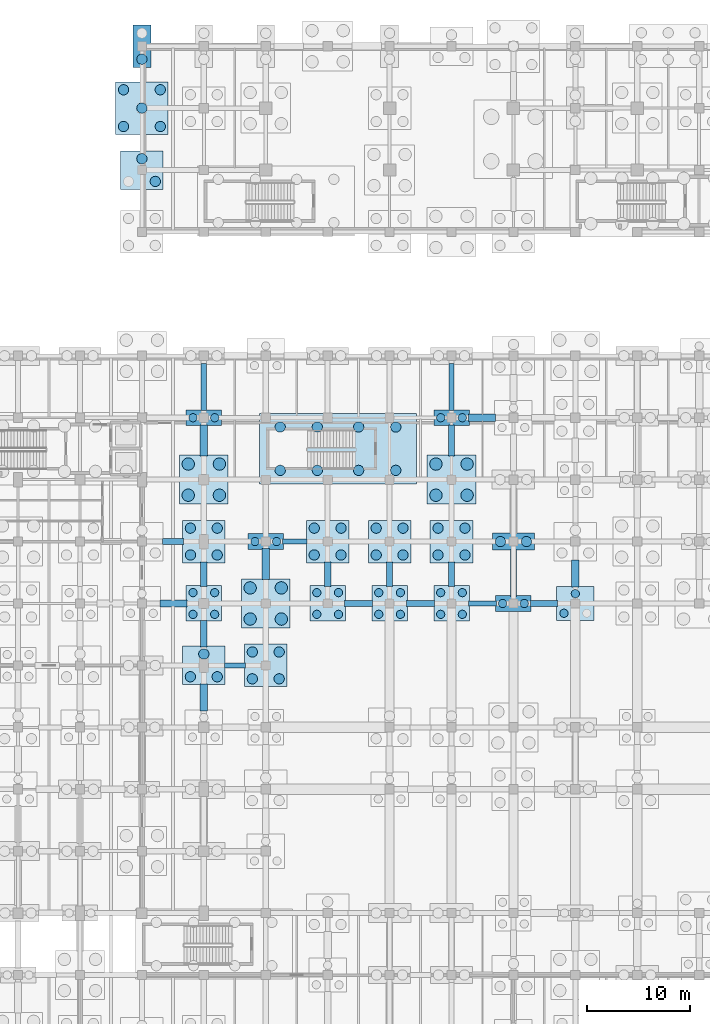
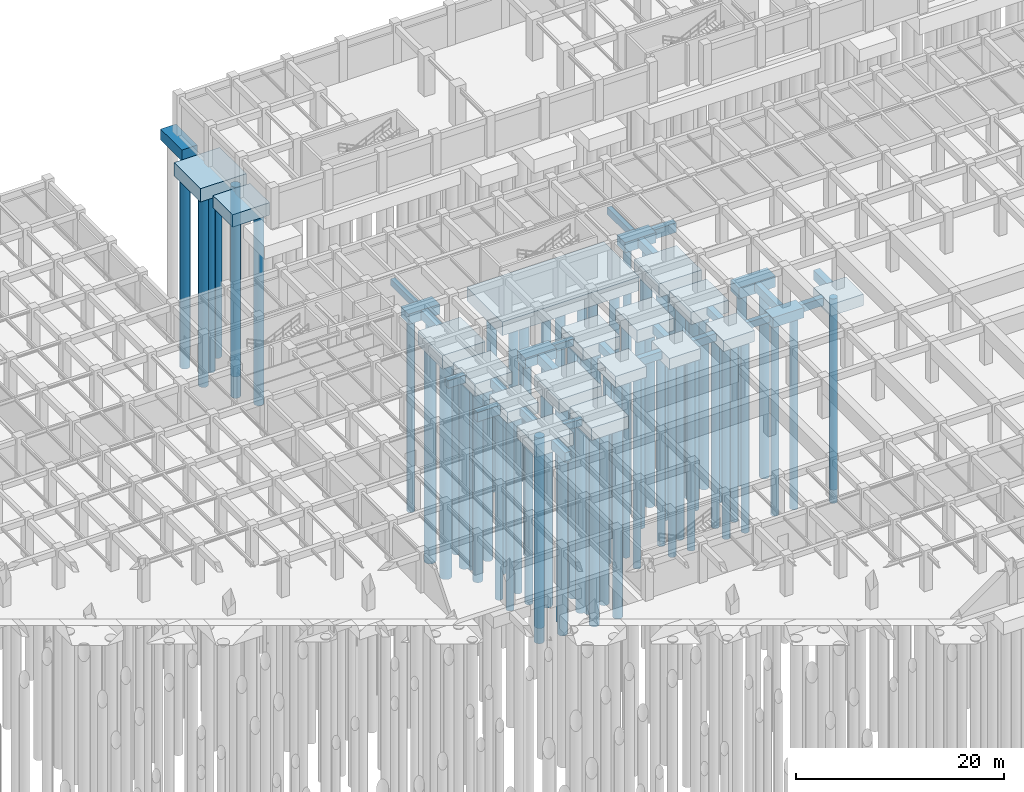
# One storey, part 13 of 54: 79 piles, 45 footings.
"""IFC4 building model written with IfcOpenShell, lengths in metres."""

from ifc_helpers import new_model, si_unit, direction, frame, origin, origin_2d, place, context, subcontext, project, spatial, rectangle, circle, extrude, material, material_profile, profile_set, type_object, element, save


model = new_model("IFC4")

# Units and contexts
model_context = context("Model", 3, precision=1e-05, world=origin(), true_north=direction((0.0, 1.0)))
body_context = subcontext(model_context, "Body", "Model", "MODEL_VIEW")
ifc_project = project(units=[si_unit("LENGTHUNIT", "METRE"), si_unit("AREAUNIT", "SQUARE_METRE"), si_unit("VOLUMEUNIT", "CUBIC_METRE"), si_unit("PLANEANGLEUNIT", "RADIAN"), si_unit("MASSUNIT", "GRAM", prefix="KILO"), si_unit("THERMODYNAMICTEMPERATUREUNIT", "KELVIN"), si_unit("POWERUNIT", "WATT")], contexts=[model_context])

# Site, building, storey
site_placement = place(None, origin())
site = spatial("IfcSite", under=ifc_project, at=site_placement, CompositionType="ELEMENT")
building_placement = place(site_placement, origin())
building = spatial("IfcBuilding", under=site, at=building_placement, Name="Phaisarnlok Congress Hotel", CompositionType="ELEMENT")
storey_placement = place(building_placement, frame((0.0, 0.0, -4.800048828125)))
storey = spatial("IfcBuildingStorey", under=building, at=storey_placement, Name="B01", CompositionType="ELEMENT", Elevation=-4.800048828125)

# Footings
ifc_material_1 = material(Name="Concrete C40/50", Category="concrete")
footing_type_1 = type_object("IfcFootingType", Name="CAP-2P-A", PredefinedType="PILE_CAP", material=ifc_material_1)
for number, where, z_axis, x_axis, name in (
    (1, (66.0, 90.0, -1.69970703125), (0.0, 0.0, 1.0), (1.0, 0.0, 0.0), "Pile cap PC-01 at (66,90)"),
    (2, (72.0, 78.0, -1.69970703125), (0.0, 0.0, 1.0), (1.0, 0.0, 0.0), "Pile cap PC-01 at (72,78)"),
    (3, (90.0, 90.0, -1.69970703125), (0.0, 0.0, 1.0), (1.0, 0.0, 0.0), "Pile cap PC-01 at (90,90)"),
    (4, (96.0, 72.0, -1.69970703125), (0.0, 0.0, 1.0), (1.0, 0.0, 0.0), "Pile cap PC-01 at (96,72)"),
):
    element("IfcFooting", number, at=place(storey_placement, frame(where, z_axis=z_axis, x_axis=x_axis)), inside=storey, type_object=footing_type_1, Name=name, PredefinedType="PILE_CAP", context=body_context, shape_type="SweptSolid", body=[
        extrude(rectangle(XDim=3.43994140625, YDim=1.5400390625, at=origin_2d()), origin(), (0.0, 0.0, 1.0), 1.199951171875),
    ])
footing_type_2 = type_object("IfcFootingType", Name="CAP-2P-B", PredefinedType="PILE_CAP", material=ifc_material_1)
footing_1_placement = place(storey_placement, frame((96.0, 78.0, -1.7998046875), z_axis=(0.0, 0.0, 1.0), x_axis=(1.0, 0.0, 0.0)))
element("IfcFooting", 5, at=footing_1_placement, inside=storey, type_object=footing_type_2, Name="Pile cap PC-02 at (96,78)", PredefinedType="PILE_CAP", context=body_context, shape_type="SweptSolid", body=[
    extrude(rectangle(XDim=4.080078125, YDim=1.639892578125, at=origin_2d()), origin(), (0.0, 0.0, 1.0), 1.300048828125),
])
footing_type_3 = type_object("IfcFootingType", Name="CAP-2P-D", PredefinedType="PILE_CAP", material=ifc_material_1)
footing_2_placement = place(storey_placement, frame((60.0, 126.0, -1.75), z_axis=(0.0, 0.0, 1.0), x_axis=(1.0, 0.0, 0.0)))
element("IfcFooting", 6, at=footing_2_placement, inside=storey, type_object=footing_type_3, Name="Pile cap PC-14 at (60,126)", PredefinedType="PILE_CAP", context=body_context, shape_type="SweptSolid", body=[
    extrude(rectangle(XDim=1.719970703125, YDim=4.080078125, at=origin_2d()), origin(), (0.0, 0.0, 1.0), 1.25),
])
footing_type_4 = type_object("IfcFootingType", Name="CAP-3P-A", PredefinedType="PILE_CAP", material=ifc_material_1)
footing_3_placement = place(storey_placement, frame((102.0, 72.0, -1.85009765625), z_axis=(0.0, 0.0, 1.0), x_axis=(1.0, 0.0, 0.0)))
element("IfcFooting", 7, at=footing_3_placement, inside=storey, type_object=footing_type_4, Name="Pile cap PC-04 at (102,72)", PredefinedType="PILE_CAP", context=body_context, shape_type="SweptSolid", body=[
    extrude(rectangle(XDim=3.639892578125, YDim=3.340087890625, at=origin_2d()), origin(), (0.0, 0.0, 1.0), 1.35009765625),
])
footing_type_5 = type_object("IfcFootingType", Name="CAP-3P-B", PredefinedType="PILE_CAP", material=ifc_material_1)
for number, where, z_axis, x_axis, name in (
    (8, (60.0, 114.0, -1.94970703125), (0.0, 0.0, 1.0), (1.0, 0.0, 0.0), "Pile cap PC-05 at (60,114)"),
    (9, (66.0, 66.0, -1.94970703125), (0.0, 0.0, 1.0), (1.0, 0.0, 0.0), "Pile cap PC-05 at (66,66)"),
):
    element("IfcFooting", number, at=place(storey_placement, frame(where, z_axis=z_axis, x_axis=x_axis)), inside=storey, type_object=footing_type_5, Name=name, PredefinedType="PILE_CAP", context=body_context, shape_type="SweptSolid", body=[
        extrude(rectangle(XDim=4.1201171875, YDim=3.739990234375, at=origin_2d()), origin(), (0.0, 0.0, 1.0), 1.449951171875),
    ])
footing_type_6 = type_object("IfcFootingType", Name="CAP-4P-A", PredefinedType="PILE_CAP", material=ifc_material_1)
for number, where, z_axis, x_axis, name in (
    (10, (66.0, 72.0, -1.7998046875), (0.0, 0.0, 1.0), (1.0, 0.0, 0.0), "Pile cap PC-06 at (66,72)"),
    (11, (78.0, 72.0, -1.7998046875), (0.0, 0.0, 1.0), (1.0, 0.0, 0.0), "Pile cap PC-06 at (78,72)"),
    (12, (84.0, 72.0, -1.7998046875), (0.0, 0.0, 1.0), (1.0, 0.0, 0.0), "Pile cap PC-06 at (84,72)"),
    (13, (90.0, 72.0, -1.7998046875), (0.0, 0.0, 1.0), (1.0, 0.0, 0.0), "Pile cap PC-06 at (90,72)"),
):
    element("IfcFooting", number, at=place(storey_placement, frame(where, z_axis=z_axis, x_axis=x_axis)), inside=storey, type_object=footing_type_6, Name=name, PredefinedType="PILE_CAP", context=body_context, shape_type="SweptSolid", body=[
        extrude(rectangle(XDim=3.43994140625, YDim=3.43994140625, at=origin_2d()), origin(), (0.0, 0.0, 1.0), 1.300048828125),
    ])
footing_type_7 = type_object("IfcFootingType", Name="CAP-4P-B", PredefinedType="PILE_CAP", material=ifc_material_1)
for number, where, z_axis, x_axis, name in (
    (14, (66.0, 78.0, -1.94970703125), (0.0, 0.0, 1.0), (1.0, 0.0, 0.0), "Pile cap PC-07 at (66,78)"),
    (15, (72.0, 66.0, -1.94970703125), (0.0, 0.0, 1.0), (1.0, 0.0, 0.0), "Pile cap PC-07 at (72,66)"),
    (16, (78.0, 78.0, -1.94970703125), (0.0, 0.0, 1.0), (1.0, 0.0, 0.0), "Pile cap PC-07 at (78,78)"),
    (17, (84.0, 78.0, -1.94970703125), (0.0, 0.0, 1.0), (1.0, 0.0, 0.0), "Pile cap PC-07 at (84,78)"),
    (18, (90.0, 78.0, -1.94970703125), (0.0, 0.0, 1.0), (1.0, 0.0, 0.0), "Pile cap PC-07 at (90,78)"),
):
    element("IfcFooting", number, at=place(storey_placement, frame(where, z_axis=z_axis, x_axis=x_axis)), inside=storey, type_object=footing_type_7, Name=name, PredefinedType="PILE_CAP", context=body_context, shape_type="SweptSolid", body=[
        extrude(rectangle(XDim=4.1201171875, YDim=4.1201171875, at=origin_2d()), origin(), (0.0, 0.0, 1.0), 1.449951171875),
    ])
footing_type_8 = type_object("IfcFootingType", Name="CAP-4P-C", PredefinedType="PILE_CAP", material=ifc_material_1)
for number, where, z_axis, x_axis, name in (
    (19, (66.0, 84.0, -2.10009765625), (0.0, 0.0, 1.0), (1.0, 0.0, 0.0), "Pile cap PC-08 at (66,84)"),
    (20, (72.0, 72.0, -2.10009765625), (0.0, 0.0, 1.0), (1.0, 0.0, 0.0), "Pile cap PC-08 at (72,72)"),
    (21, (90.0, 84.0, -2.10009765625), (0.0, 0.0, 1.0), (1.0, 0.0, 0.0), "Pile cap PC-08 at (90,84)"),
):
    element("IfcFooting", number, at=place(storey_placement, frame(where, z_axis=z_axis, x_axis=x_axis)), inside=storey, type_object=footing_type_8, Name=name, PredefinedType="PILE_CAP", context=body_context, shape_type="SweptSolid", body=[
        extrude(rectangle(XDim=4.719970703125, YDim=4.760009765625, at=origin_2d()), origin(), (0.0, 0.0, 1.0), 1.60009765625),
    ])
footing_type_9 = type_object("IfcFootingType", Name="CAP-5P-A", PredefinedType="PILE_CAP", material=ifc_material_1)
footing_4_placement = place(storey_placement, frame((60.0, 120.0, -2.0498046875), z_axis=(0.0, 0.0, 1.0), x_axis=(1.0, 0.0, 0.0)))
element("IfcFooting", 22, at=footing_4_placement, inside=storey, type_object=footing_type_9, Name="Pile cap PC-13 at (60,120)", PredefinedType="PILE_CAP", context=body_context, shape_type="SweptSolid", body=[
    extrude(rectangle(XDim=5.080078125, YDim=5.080078125, at=origin_2d()), origin(), (0.0, 0.0, 1.0), 1.550048828125),
])
footing_type_10 = type_object("IfcFootingType", Name="CAP-STAIR-H", PredefinedType="PILE_CAP", material=ifc_material_1)
footing_5_placement = place(storey_placement, frame((79.0, 87.0, -2.10009765625), z_axis=(0.0, 0.0, 1.0), x_axis=(1.0, 0.0, 0.0)))
element("IfcFooting", 23, at=footing_5_placement, inside=storey, type_object=footing_type_10, Name="Stair core pile cap PC-17 (STAIR-POD-C)", PredefinedType="PILE_CAP", context=body_context, shape_type="SweptSolid", body=[
    extrude(rectangle(XDim=15.199951171875, YDim=6.800048828125, at=origin_2d()), origin(), (0.0, 0.0, 1.0), 1.60009765625),
])
ifc_material_profile_1 = material_profile(ifc_material_1, rectangle(XDim=0.5, YDim=0.800048828125, at=origin_2d()), Name="FB-500x800")
ifc_profile_set_1 = profile_set([ifc_material_profile_1], Name="Concrete C40/50")
footing_type_11 = type_object("IfcFootingType", Name="FB-500x800", PredefinedType="FOOTING_BEAM", material=ifc_profile_set_1)
footing_6_placement = place(storey_placement, frame((67.985107421875, 66.0, -0.89990234375), z_axis=(1.0, 0.0, 0.0), x_axis=(0.0, 1.0, 0.0)))
element("IfcFooting", 24, at=footing_6_placement, inside=storey, type_object=footing_type_11, Name="Ground tie beam FB-01", PredefinedType="FOOTING_BEAM", context=body_context, shape_type="SweptSolid", body=[
    extrude(rectangle(XDim=0.5, YDim=0.800048828125, at=origin_2d()), origin(), (0.0, 0.0, 1.0), 2.02978515625),
])
footing_7_placement = place(storey_placement, frame((66.0, 90.695068359375, -0.89990234375), z_axis=(0.0, 1.0, 0.0), x_axis=(-1.0, 0.0, 0.0)))
element("IfcFooting", 25, at=footing_7_placement, inside=storey, type_object=footing_type_11, Name="Ground tie beam FB-01", PredefinedType="FOOTING_BEAM", context=body_context, shape_type="SweptSolid", body=[
    extrude(rectangle(XDim=0.5, YDim=0.800048828125, at=origin_2d()), origin(), (0.0, 0.0, 1.0), 4.559814453125),
])
footing_8_placement = place(storey_placement, frame((73.64501953125, 78.0, -0.89990234375), z_axis=(1.0, 0.0, 0.0), x_axis=(0.0, 1.0, 0.0)))
element("IfcFooting", 26, at=footing_8_placement, inside=storey, type_object=footing_type_11, Name="Ground tie beam FB-01", PredefinedType="FOOTING_BEAM", context=body_context, shape_type="SweptSolid", body=[
    extrude(rectangle(XDim=0.5, YDim=0.800048828125, at=origin_2d()), origin(), (0.0, 0.0, 1.0), 2.369873046875),
])
footing_9_placement = place(storey_placement, frame((91.64501953125, 72.0, -0.89990234375), z_axis=(1.0, 0.0, 0.0), x_axis=(0.0, 1.0, 0.0)))
element("IfcFooting", 27, at=footing_9_placement, inside=storey, type_object=footing_type_11, Name="Ground tie beam FB-01", PredefinedType="FOOTING_BEAM", context=body_context, shape_type="SweptSolid", body=[
    extrude(rectangle(XDim=0.5, YDim=0.800048828125, at=origin_2d()), origin(), (0.0, 0.0, 1.0), 2.7099609375),
])
footing_10_placement = place(storey_placement, frame((90.0, 90.695068359375, -0.89990234375), z_axis=(0.0, 1.0, 0.0), x_axis=(-1.0, 0.0, 0.0)))
element("IfcFooting", 28, at=footing_10_placement, inside=storey, type_object=footing_type_11, Name="Ground tie beam FB-01", PredefinedType="FOOTING_BEAM", context=body_context, shape_type="SweptSolid", body=[
    extrude(rectangle(XDim=0.5, YDim=0.800048828125, at=origin_2d()), origin(), (0.0, 0.0, 1.0), 4.559814453125),
])
ifc_material_profile_2 = material_profile(ifc_material_1, rectangle(XDim=0.60009765625, YDim=1.0, at=origin_2d()), Name="FB-600x1000")
ifc_profile_set_2 = profile_set([ifc_material_profile_2], Name="Concrete C40/50")
footing_type_12 = type_object("IfcFootingType", Name="FB-600x1000", PredefinedType="FOOTING_BEAM", material=ifc_profile_set_2)
for number, where, z_axis, x_axis, name in (
    (29, (66.0, 73.64501953125, -1.0), (0.0, 1.0, 0.0), (-1.0, 0.0, 0.0), "Ground tie beam FB-03"),
    (30, (78.0, 73.64501953125, -1.0), (0.0, 1.0, 0.0), (-1.0, 0.0, 0.0), "Ground tie beam FB-03"),
    (31, (84.0, 73.64501953125, -1.0), (0.0, 1.0, 0.0), (-1.0, 0.0, 0.0), "Ground tie beam FB-03"),
):
    element("IfcFooting", number, at=place(storey_placement, frame(where, z_axis=z_axis, x_axis=x_axis)), inside=storey, type_object=footing_type_12, Name=name, PredefinedType="FOOTING_BEAM", context=body_context, shape_type="SweptSolid", body=[
        extrude(rectangle(XDim=0.60009765625, YDim=1.0, at=origin_2d()), origin(), (0.0, 0.0, 1.0), 2.369873046875),
    ])
footing_11_placement = place(storey_placement, frame((90.0, 86.304931640625, -1.0), z_axis=(0.0, 1.0, 0.0), x_axis=(-1.0, 0.0, 0.0)))
element("IfcFooting", 32, at=footing_11_placement, inside=storey, type_object=footing_type_12, Name="Ground tie beam FB-03", PredefinedType="FOOTING_BEAM", context=body_context, shape_type="SweptSolid", body=[
    extrude(rectangle(XDim=0.60009765625, YDim=1.0, at=origin_2d()), origin(), (0.0, 0.0, 1.0), 3.0),
])
footing_12_placement = place(storey_placement, frame((96.0, 72.695068359375, -1.0), z_axis=(0.0, 1.0, 0.0), x_axis=(-1.0, 0.0, 0.0)))
element("IfcFooting", 33, at=footing_12_placement, inside=storey, type_object=footing_type_12, Name="Ground tie beam FB-03", PredefinedType="FOOTING_BEAM", context=body_context, shape_type="SweptSolid", body=[
    extrude(rectangle(XDim=0.60009765625, YDim=1.0, at=origin_2d()), origin(), (0.0, 0.0, 1.0), 4.559814453125),
])
ifc_material_profile_3 = material_profile(ifc_material_1, rectangle(XDim=0.60009765625, YDim=0.89990234375, at=origin_2d()), Name="FB-600x900")
ifc_profile_set_3 = profile_set([ifc_material_profile_3], Name="Concrete C40/50")
footing_type_13 = type_object("IfcFootingType", Name="FB-600x900", PredefinedType="FOOTING_BEAM", material=ifc_profile_set_3)
footing_13_placement = place(storey_placement, frame((61.985107421875, 78.0, -0.949951171875), z_axis=(1.0, 0.0, 0.0), x_axis=(0.0, 1.0, 0.0)))
element("IfcFooting", 34, at=footing_13_placement, inside=storey, type_object=footing_type_13, Name="Ground tie beam FB-02", PredefinedType="FOOTING_BEAM", context=body_context, shape_type="SweptSolid", body=[
    extrude(rectangle(XDim=0.60009765625, YDim=0.89990234375, at=origin_2d()), origin(), (0.0, 0.0, 1.0), 2.02978515625),
])
footing_14_placement = place(storey_placement, frame((66.0, 67.794921875, -0.949951171875), z_axis=(0.0, 1.0, 0.0), x_axis=(-1.0, 0.0, 0.0)))
element("IfcFooting", 35, at=footing_14_placement, inside=storey, type_object=footing_type_13, Name="Ground tie beam FB-02", PredefinedType="FOOTING_BEAM", context=body_context, shape_type="SweptSolid", body=[
    extrude(rectangle(XDim=0.60009765625, YDim=0.89990234375, at=origin_2d()), origin(), (0.0, 0.0, 1.0), 2.56005859375),
])
for number, where, z_axis, x_axis, name in (
    (36, (79.64501953125, 72.0, -0.949951171875), (1.0, 0.0, 0.0), (0.0, 1.0, 0.0), "Ground tie beam FB-02"),
    (37, (85.64501953125, 72.0, -0.949951171875), (1.0, 0.0, 0.0), (0.0, 1.0, 0.0), "Ground tie beam FB-02"),
):
    element("IfcFooting", number, at=place(storey_placement, frame(where, z_axis=z_axis, x_axis=x_axis)), inside=storey, type_object=footing_type_13, Name=name, PredefinedType="FOOTING_BEAM", context=body_context, shape_type="SweptSolid", body=[
        extrude(rectangle(XDim=0.60009765625, YDim=0.89990234375, at=origin_2d()), origin(), (0.0, 0.0, 1.0), 2.7099609375),
    ])
footing_15_placement = place(storey_placement, frame((90.0, 73.64501953125, -0.949951171875), z_axis=(0.0, 1.0, 0.0), x_axis=(-1.0, 0.0, 0.0)))
element("IfcFooting", 38, at=footing_15_placement, inside=storey, type_object=footing_type_13, Name="Ground tie beam FB-02", PredefinedType="FOOTING_BEAM", context=body_context, shape_type="SweptSolid", body=[
    extrude(rectangle(XDim=0.60009765625, YDim=0.89990234375, at=origin_2d()), origin(), (0.0, 0.0, 1.0), 2.369873046875),
])
footing_16_placement = place(storey_placement, frame((97.64501953125, 72.0, -0.949951171875), z_axis=(1.0, 0.0, 0.0), x_axis=(0.0, 1.0, 0.0)))
element("IfcFooting", 39, at=footing_16_placement, inside=storey, type_object=footing_type_13, Name="Ground tie beam FB-02", PredefinedType="FOOTING_BEAM", context=body_context, shape_type="SweptSolid", body=[
    extrude(rectangle(XDim=0.60009765625, YDim=0.89990234375, at=origin_2d()), origin(), (0.0, 0.0, 1.0), 2.60986328125),
])
ifc_material_profile_4 = material_profile(ifc_material_1, rectangle(XDim=0.699951171875, YDim=1.10009765625, at=origin_2d()), Name="FB-700x1100")
ifc_profile_set_4 = profile_set([ifc_material_profile_4], Name="Concrete C40/50")
footing_type_14 = type_object("IfcFootingType", Name="FB-700x1100", PredefinedType="FOOTING_BEAM", material=ifc_profile_set_4)
footing_17_placement = place(storey_placement, frame((61.7451171875, 72.0, -1.050048828125), z_axis=(1.0, 0.0, 0.0), x_axis=(0.0, 1.0, 0.0)))
element("IfcFooting", 40, at=footing_17_placement, inside=storey, type_object=footing_type_14, Name="Ground tie beam FB-04", PredefinedType="FOOTING_BEAM", context=body_context, shape_type="SweptSolid", body=[
    extrude(rectangle(XDim=0.699951171875, YDim=1.10009765625, at=origin_2d()), origin(), (0.0, 0.0, 1.0), 2.60986328125),
])
footing_18_placement = place(storey_placement, frame((66.0, 61.594970703125, -1.050048828125), z_axis=(0.0, 1.0, 0.0), x_axis=(-1.0, 0.0, 0.0)))
element("IfcFooting", 41, at=footing_18_placement, inside=storey, type_object=footing_type_14, Name="Ground tie beam FB-04", PredefinedType="FOOTING_BEAM", context=body_context, shape_type="SweptSolid", body=[
    extrude(rectangle(XDim=0.699951171875, YDim=1.10009765625, at=origin_2d()), origin(), (0.0, 0.0, 1.0), 2.610107421875),
])
for number, where, z_axis, x_axis, name in (
    (42, (66.0, 86.304931640625, -1.050048828125), (0.0, 1.0, 0.0), (-1.0, 0.0, 0.0), "Ground tie beam FB-04"),
    (43, (72.0, 74.304931640625, -1.050048828125), (0.0, 1.0, 0.0), (-1.0, 0.0, 0.0), "Ground tie beam FB-04"),
):
    element("IfcFooting", number, at=place(storey_placement, frame(where, z_axis=z_axis, x_axis=x_axis)), inside=storey, type_object=footing_type_14, Name=name, PredefinedType="FOOTING_BEAM", context=body_context, shape_type="SweptSolid", body=[
        extrude(rectangle(XDim=0.699951171875, YDim=1.10009765625, at=origin_2d()), origin(), (0.0, 0.0, 1.0), 3.0),
    ])
footing_19_placement = place(storey_placement, frame((91.64501953125, 90.0, -1.050048828125), z_axis=(1.0, 0.0, 0.0), x_axis=(0.0, 1.0, 0.0)))
element("IfcFooting", 44, at=footing_19_placement, inside=storey, type_object=footing_type_14, Name="Ground tie beam FB-04", PredefinedType="FOOTING_BEAM", context=body_context, shape_type="SweptSolid", body=[
    extrude(rectangle(XDim=0.699951171875, YDim=1.10009765625, at=origin_2d()), origin(), (0.0, 0.0, 1.0), 2.60986328125),
])
footing_20_placement = place(storey_placement, frame((102.0, 73.594970703125, -1.050048828125), z_axis=(0.0, 1.0, 0.0), x_axis=(-1.0, 0.0, 0.0)))
element("IfcFooting", 45, at=footing_20_placement, inside=storey, type_object=footing_type_14, Name="Ground tie beam FB-04", PredefinedType="FOOTING_BEAM", context=body_context, shape_type="SweptSolid", body=[
    extrude(rectangle(XDim=0.699951171875, YDim=1.10009765625, at=origin_2d()), origin(), (0.0, 0.0, 1.0), 2.610107421875),
])

# Piles
ifc_material_2 = material(Name="Concrete C35/45", Category="concrete")
ifc_material_profile_5 = material_profile(ifc_material_2, circle(Radius=0.5, at=origin_2d()), Name="BORED PILE D1000")
ifc_profile_set_5 = profile_set([ifc_material_profile_5], Name="Concrete C35/45")
pile_type_1 = type_object("IfcPileType", Name="PILE-D1000", PredefinedType="BORED", material=ifc_profile_set_5)
for number, where, z_axis, x_axis, name in (
    (46, (73.39990234375, 84.89990234375, -2.0), (0.0, 0.0, -1.0), (1.0, 0.0, 0.0), "Bored pile PL-02 (STAIR-POD-C-01)"),
    (47, (73.39990234375, 89.10009765625, -2.0), (0.0, 0.0, -1.0), (1.0, 0.0, 0.0), "Bored pile PL-02 (STAIR-POD-C-02)"),
    (48, (77.0, 84.89990234375, -2.0), (0.0, 0.0, -1.0), (1.0, 0.0, 0.0), "Bored pile PL-02 (STAIR-POD-C-03)"),
    (49, (77.0, 89.10009765625, -2.0), (0.0, 0.0, -1.0), (1.0, 0.0, 0.0), "Bored pile PL-02 (STAIR-POD-C-04)"),
    (50, (81.0, 84.89990234375, -2.0), (0.0, 0.0, -1.0), (1.0, 0.0, 0.0), "Bored pile PL-02 (STAIR-POD-C-05)"),
    (51, (81.0, 89.10009765625, -2.0), (0.0, 0.0, -1.0), (1.0, 0.0, 0.0), "Bored pile PL-02 (STAIR-POD-C-06)"),
    (52, (84.60009765625, 84.89990234375, -2.0), (0.0, 0.0, -1.0), (1.0, 0.0, 0.0), "Bored pile PL-02 (STAIR-POD-C-07)"),
    (53, (84.60009765625, 89.10009765625, -2.0), (0.0, 0.0, -1.0), (1.0, 0.0, 0.0), "Bored pile PL-02 (STAIR-POD-C-08)"),
):
    element("IfcPile", number, at=place(storey_placement, frame(where, z_axis=z_axis, x_axis=x_axis)), inside=storey, type_object=pile_type_1, Name=name, PredefinedType="BORED", context=body_context, shape_type="SweptSolid", body=[
        extrude(circle(Radius=0.5, at=origin_2d()), origin(), (0.0, 0.0, 1.0), 22.199951171875),
    ])
for number, where, z_axis, x_axis, name in (
    (54, (61.300048828125, 112.89990234375, -1.849853515625), (0.0, 0.0, -1.0), (1.0, 0.0, 0.0), "Bored pile PL-02 (FTG-B01-060-114-2)"),
    (55, (60.0, 115.10009765625, -1.849853515625), (0.0, 0.0, -1.0), (1.0, 0.0, 0.0), "Bored pile PL-02 (FTG-B01-060-114-3)"),
):
    element("IfcPile", number, at=place(storey_placement, frame(where, z_axis=z_axis, x_axis=x_axis)), inside=storey, type_object=pile_type_1, Name=name, PredefinedType="BORED", context=body_context, shape_type="SweptSolid", body=[
        extrude(circle(Radius=0.5, at=origin_2d()), origin(), (0.0, 0.0, 1.0), 22.35009765625),
    ])
for number, where, z_axis, x_axis, name in (
    (56, (58.219970703125, 118.219970703125, -1.949951171875), (0.0, 0.0, -1.0), (1.0, 0.0, 0.0), "Bored pile PL-02 (FTG-B01-060-120-1)"),
    (57, (61.780029296875, 118.219970703125, -1.949951171875), (0.0, 0.0, -1.0), (1.0, 0.0, 0.0), "Bored pile PL-02 (FTG-B01-060-120-2)"),
    (58, (60.0, 120.0, -1.949951171875), (0.0, 0.0, -1.0), (1.0, 0.0, 0.0), "Bored pile PL-02 (FTG-B01-060-120-3)"),
    (59, (58.219970703125, 121.780029296875, -1.949951171875), (0.0, 0.0, -1.0), (1.0, 0.0, 0.0), "Bored pile PL-02 (FTG-B01-060-120-4)"),
    (60, (61.780029296875, 121.780029296875, -1.949951171875), (0.0, 0.0, -1.0), (1.0, 0.0, 0.0), "Bored pile PL-02 (FTG-B01-060-120-5)"),
):
    element("IfcPile", number, at=place(storey_placement, frame(where, z_axis=z_axis, x_axis=x_axis)), inside=storey, type_object=pile_type_1, Name=name, PredefinedType="BORED", context=body_context, shape_type="SweptSolid", body=[
        extrude(circle(Radius=0.5, at=origin_2d()), origin(), (0.0, 0.0, 1.0), 22.25),
    ])
pile_placement = place(storey_placement, frame((60.0, 124.739990234375, -1.64990234375), z_axis=(0.0, 0.0, -1.0), x_axis=(1.0, 0.0, 0.0)))
element("IfcPile", 61, at=pile_placement, inside=storey, type_object=pile_type_1, Name="Bored pile PL-02 (FTG-B01-060-126-1)", PredefinedType="BORED", context=body_context, shape_type="SweptSolid", body=[
    extrude(circle(Radius=0.5, at=origin_2d()), origin(), (0.0, 0.0, 1.0), 22.550048828125),
])
for number, where, z_axis, x_axis, name in (
    (62, (64.699951171875, 64.89990234375, -1.849853515625), (0.0, 0.0, -1.0), (1.0, 0.0, 0.0), "Bored pile PL-02 (FTG-B01-066-066-1)"),
    (63, (67.300048828125, 64.89990234375, -1.849853515625), (0.0, 0.0, -1.0), (1.0, 0.0, 0.0), "Bored pile PL-02 (FTG-B01-066-066-2)"),
    (64, (66.0, 67.10009765625, -1.849853515625), (0.0, 0.0, -1.0), (1.0, 0.0, 0.0), "Bored pile PL-02 (FTG-B01-066-066-3)"),
    (65, (64.699951171875, 76.699951171875, -1.849853515625), (0.0, 0.0, -1.0), (1.0, 0.0, 0.0), "Bored pile PL-02 (FTG-B01-066-078-1)"),
    (66, (67.300048828125, 76.699951171875, -1.849853515625), (0.0, 0.0, -1.0), (1.0, 0.0, 0.0), "Bored pile PL-02 (FTG-B01-066-078-2)"),
    (67, (64.699951171875, 79.300048828125, -1.849853515625), (0.0, 0.0, -1.0), (1.0, 0.0, 0.0), "Bored pile PL-02 (FTG-B01-066-078-3)"),
    (68, (67.300048828125, 79.300048828125, -1.849853515625), (0.0, 0.0, -1.0), (1.0, 0.0, 0.0), "Bored pile PL-02 (FTG-B01-066-078-4)"),
    (69, (70.699951171875, 64.699951171875, -1.849853515625), (0.0, 0.0, -1.0), (1.0, 0.0, 0.0), "Bored pile PL-02 (FTG-B01-072-066-1)"),
    (70, (73.300048828125, 64.699951171875, -1.849853515625), (0.0, 0.0, -1.0), (1.0, 0.0, 0.0), "Bored pile PL-02 (FTG-B01-072-066-2)"),
    (71, (70.699951171875, 67.300048828125, -1.849853515625), (0.0, 0.0, -1.0), (1.0, 0.0, 0.0), "Bored pile PL-02 (FTG-B01-072-066-3)"),
    (72, (73.300048828125, 67.300048828125, -1.849853515625), (0.0, 0.0, -1.0), (1.0, 0.0, 0.0), "Bored pile PL-02 (FTG-B01-072-066-4)"),
    (73, (76.699951171875, 76.699951171875, -1.849853515625), (0.0, 0.0, -1.0), (1.0, 0.0, 0.0), "Bored pile PL-02 (FTG-B01-078-078-1)"),
    (74, (79.300048828125, 76.699951171875, -1.849853515625), (0.0, 0.0, -1.0), (1.0, 0.0, 0.0), "Bored pile PL-02 (FTG-B01-078-078-2)"),
    (75, (76.699951171875, 79.300048828125, -1.849853515625), (0.0, 0.0, -1.0), (1.0, 0.0, 0.0), "Bored pile PL-02 (FTG-B01-078-078-3)"),
    (76, (79.300048828125, 79.300048828125, -1.849853515625), (0.0, 0.0, -1.0), (1.0, 0.0, 0.0), "Bored pile PL-02 (FTG-B01-078-078-4)"),
    (77, (82.699951171875, 76.699951171875, -1.849853515625), (0.0, 0.0, -1.0), (1.0, 0.0, 0.0), "Bored pile PL-02 (FTG-B01-084-078-1)"),
    (78, (85.300048828125, 76.699951171875, -1.849853515625), (0.0, 0.0, -1.0), (1.0, 0.0, 0.0), "Bored pile PL-02 (FTG-B01-084-078-2)"),
    (79, (82.699951171875, 79.300048828125, -1.849853515625), (0.0, 0.0, -1.0), (1.0, 0.0, 0.0), "Bored pile PL-02 (FTG-B01-084-078-3)"),
    (80, (85.300048828125, 79.300048828125, -1.849853515625), (0.0, 0.0, -1.0), (1.0, 0.0, 0.0), "Bored pile PL-02 (FTG-B01-084-078-4)"),
    (81, (88.699951171875, 76.699951171875, -1.849853515625), (0.0, 0.0, -1.0), (1.0, 0.0, 0.0), "Bored pile PL-02 (FTG-B01-090-078-1)"),
    (82, (91.300048828125, 76.699951171875, -1.849853515625), (0.0, 0.0, -1.0), (1.0, 0.0, 0.0), "Bored pile PL-02 (FTG-B01-090-078-2)"),
    (83, (88.699951171875, 79.300048828125, -1.849853515625), (0.0, 0.0, -1.0), (1.0, 0.0, 0.0), "Bored pile PL-02 (FTG-B01-090-078-3)"),
    (84, (91.300048828125, 79.300048828125, -1.849853515625), (0.0, 0.0, -1.0), (1.0, 0.0, 0.0), "Bored pile PL-02 (FTG-B01-090-078-4)"),
):
    element("IfcPile", number, at=place(storey_placement, frame(where, z_axis=z_axis, x_axis=x_axis)), inside=storey, type_object=pile_type_1, Name=name, PredefinedType="BORED", context=body_context, shape_type="SweptSolid", body=[
        extrude(circle(Radius=0.5, at=origin_2d()), origin(), (0.0, 0.0, 1.0), 22.35009765625),
    ])
for number, where, z_axis, x_axis, name in (
    (85, (94.739990234375, 78.0, -1.699951171875), (0.0, 0.0, -1.0), (1.0, 0.0, 0.0), "Bored pile PL-02 (FTG-B01-096-078-1)"),
    (86, (97.260009765625, 78.0, -1.699951171875), (0.0, 0.0, -1.0), (1.0, 0.0, 0.0), "Bored pile PL-02 (FTG-B01-096-078-2)"),
):
    element("IfcPile", number, at=place(storey_placement, frame(where, z_axis=z_axis, x_axis=x_axis)), inside=storey, type_object=pile_type_1, Name=name, PredefinedType="BORED", context=body_context, shape_type="SweptSolid", body=[
        extrude(circle(Radius=0.5, at=origin_2d()), origin(), (0.0, 0.0, 1.0), 22.5),
    ])
ifc_material_profile_6 = material_profile(ifc_material_2, circle(Radius=0.60009765625, at=origin_2d()), Name="BORED PILE D1200")
ifc_profile_set_6 = profile_set([ifc_material_profile_6], Name="Concrete C35/45")
pile_type_2 = type_object("IfcPileType", Name="PILE-D1200", PredefinedType="BORED", material=ifc_profile_set_6)
for number, where, z_axis, x_axis, name in (
    (87, (64.489990234375, 82.489990234375, -2.0), (0.0, 0.0, -1.0), (1.0, 0.0, 0.0), "Bored pile PL-03 (FTG-B01-066-084-1)"),
    (88, (67.510009765625, 82.489990234375, -2.0), (0.0, 0.0, -1.0), (1.0, 0.0, 0.0), "Bored pile PL-03 (FTG-B01-066-084-2)"),
    (89, (64.489990234375, 85.510009765625, -2.0), (0.0, 0.0, -1.0), (1.0, 0.0, 0.0), "Bored pile PL-03 (FTG-B01-066-084-3)"),
    (90, (67.510009765625, 85.510009765625, -2.0), (0.0, 0.0, -1.0), (1.0, 0.0, 0.0), "Bored pile PL-03 (FTG-B01-066-084-4)"),
    (91, (70.489990234375, 70.489990234375, -2.0), (0.0, 0.0, -1.0), (1.0, 0.0, 0.0), "Bored pile PL-03 (FTG-B01-072-072-1)"),
    (92, (73.510009765625, 70.489990234375, -2.0), (0.0, 0.0, -1.0), (1.0, 0.0, 0.0), "Bored pile PL-03 (FTG-B01-072-072-2)"),
    (93, (70.489990234375, 73.510009765625, -2.0), (0.0, 0.0, -1.0), (1.0, 0.0, 0.0), "Bored pile PL-03 (FTG-B01-072-072-3)"),
    (94, (73.510009765625, 73.510009765625, -2.0), (0.0, 0.0, -1.0), (1.0, 0.0, 0.0), "Bored pile PL-03 (FTG-B01-072-072-4)"),
    (95, (88.489990234375, 82.489990234375, -2.0), (0.0, 0.0, -1.0), (1.0, 0.0, 0.0), "Bored pile PL-03 (FTG-B01-090-084-1)"),
    (96, (91.510009765625, 82.489990234375, -2.0), (0.0, 0.0, -1.0), (1.0, 0.0, 0.0), "Bored pile PL-03 (FTG-B01-090-084-2)"),
    (97, (88.489990234375, 85.510009765625, -2.0), (0.0, 0.0, -1.0), (1.0, 0.0, 0.0), "Bored pile PL-03 (FTG-B01-090-084-3)"),
    (98, (91.510009765625, 85.510009765625, -2.0), (0.0, 0.0, -1.0), (1.0, 0.0, 0.0), "Bored pile PL-03 (FTG-B01-090-084-4)"),
):
    element("IfcPile", number, at=place(storey_placement, frame(where, z_axis=z_axis, x_axis=x_axis)), inside=storey, type_object=pile_type_2, Name=name, PredefinedType="BORED", context=body_context, shape_type="SweptSolid", body=[
        extrude(circle(Radius=0.60009765625, at=origin_2d()), origin(), (0.0, 0.0, 1.0), 25.199951171875),
    ])
ifc_material_profile_7 = material_profile(ifc_material_2, circle(Radius=0.39990234375, at=origin_2d()), Name="BORED PILE D800")
ifc_profile_set_7 = profile_set([ifc_material_profile_7], Name="Concrete C35/45")
pile_type_3 = type_object("IfcPileType", Name="PILE-D800", PredefinedType="BORED", material=ifc_profile_set_7)
for number, where, z_axis, x_axis, name in (
    (99, (64.949951171875, 70.949951171875, -1.699951171875), (0.0, 0.0, -1.0), (1.0, 0.0, 0.0), "Bored pile PL-01 (FTG-B01-066-072-1)"),
    (100, (67.050048828125, 70.949951171875, -1.699951171875), (0.0, 0.0, -1.0), (1.0, 0.0, 0.0), "Bored pile PL-01 (FTG-B01-066-072-2)"),
    (101, (64.949951171875, 73.050048828125, -1.699951171875), (0.0, 0.0, -1.0), (1.0, 0.0, 0.0), "Bored pile PL-01 (FTG-B01-066-072-3)"),
    (102, (67.050048828125, 73.050048828125, -1.699951171875), (0.0, 0.0, -1.0), (1.0, 0.0, 0.0), "Bored pile PL-01 (FTG-B01-066-072-4)"),
):
    element("IfcPile", number, at=place(storey_placement, frame(where, z_axis=z_axis, x_axis=x_axis)), inside=storey, type_object=pile_type_3, Name=name, PredefinedType="BORED", context=body_context, shape_type="SweptSolid", body=[
        extrude(circle(Radius=0.39990234375, at=origin_2d()), origin(), (0.0, 0.0, 1.0), 22.5),
    ])
for number, where, z_axis, x_axis, name in (
    (103, (64.949951171875, 90.0, -1.599853515625), (0.0, 0.0, -1.0), (1.0, 0.0, 0.0), "Bored pile PL-01 (FTG-B01-066-090-1)"),
    (104, (67.050048828125, 90.0, -1.599853515625), (0.0, 0.0, -1.0), (1.0, 0.0, 0.0), "Bored pile PL-01 (FTG-B01-066-090-2)"),
    (105, (70.949951171875, 78.0, -1.599853515625), (0.0, 0.0, -1.0), (1.0, 0.0, 0.0), "Bored pile PL-01 (FTG-B01-072-078-1)"),
    (106, (73.050048828125, 78.0, -1.599853515625), (0.0, 0.0, -1.0), (1.0, 0.0, 0.0), "Bored pile PL-01 (FTG-B01-072-078-2)"),
):
    element("IfcPile", number, at=place(storey_placement, frame(where, z_axis=z_axis, x_axis=x_axis)), inside=storey, type_object=pile_type_3, Name=name, PredefinedType="BORED", context=body_context, shape_type="SweptSolid", body=[
        extrude(circle(Radius=0.39990234375, at=origin_2d()), origin(), (0.0, 0.0, 1.0), 22.60009765625),
    ])
for number, where, z_axis, x_axis, name in (
    (107, (76.949951171875, 70.949951171875, -1.699951171875), (0.0, 0.0, -1.0), (1.0, 0.0, 0.0), "Bored pile PL-01 (FTG-B01-078-072-1)"),
    (108, (79.050048828125, 70.949951171875, -1.699951171875), (0.0, 0.0, -1.0), (1.0, 0.0, 0.0), "Bored pile PL-01 (FTG-B01-078-072-2)"),
    (109, (76.949951171875, 73.050048828125, -1.699951171875), (0.0, 0.0, -1.0), (1.0, 0.0, 0.0), "Bored pile PL-01 (FTG-B01-078-072-3)"),
    (110, (79.050048828125, 73.050048828125, -1.699951171875), (0.0, 0.0, -1.0), (1.0, 0.0, 0.0), "Bored pile PL-01 (FTG-B01-078-072-4)"),
    (111, (82.949951171875, 70.949951171875, -1.699951171875), (0.0, 0.0, -1.0), (1.0, 0.0, 0.0), "Bored pile PL-01 (FTG-B01-084-072-1)"),
    (112, (85.050048828125, 70.949951171875, -1.699951171875), (0.0, 0.0, -1.0), (1.0, 0.0, 0.0), "Bored pile PL-01 (FTG-B01-084-072-2)"),
    (113, (82.949951171875, 73.050048828125, -1.699951171875), (0.0, 0.0, -1.0), (1.0, 0.0, 0.0), "Bored pile PL-01 (FTG-B01-084-072-3)"),
    (114, (85.050048828125, 73.050048828125, -1.699951171875), (0.0, 0.0, -1.0), (1.0, 0.0, 0.0), "Bored pile PL-01 (FTG-B01-084-072-4)"),
    (115, (88.949951171875, 70.949951171875, -1.699951171875), (0.0, 0.0, -1.0), (1.0, 0.0, 0.0), "Bored pile PL-01 (FTG-B01-090-072-1)"),
    (116, (91.050048828125, 70.949951171875, -1.699951171875), (0.0, 0.0, -1.0), (1.0, 0.0, 0.0), "Bored pile PL-01 (FTG-B01-090-072-2)"),
    (117, (88.949951171875, 73.050048828125, -1.699951171875), (0.0, 0.0, -1.0), (1.0, 0.0, 0.0), "Bored pile PL-01 (FTG-B01-090-072-3)"),
    (118, (91.050048828125, 73.050048828125, -1.699951171875), (0.0, 0.0, -1.0), (1.0, 0.0, 0.0), "Bored pile PL-01 (FTG-B01-090-072-4)"),
):
    element("IfcPile", number, at=place(storey_placement, frame(where, z_axis=z_axis, x_axis=x_axis)), inside=storey, type_object=pile_type_3, Name=name, PredefinedType="BORED", context=body_context, shape_type="SweptSolid", body=[
        extrude(circle(Radius=0.39990234375, at=origin_2d()), origin(), (0.0, 0.0, 1.0), 22.5),
    ])
for number, where, z_axis, x_axis, name in (
    (119, (88.949951171875, 90.0, -1.599853515625), (0.0, 0.0, -1.0), (1.0, 0.0, 0.0), "Bored pile PL-01 (FTG-B01-090-090-1)"),
    (120, (91.050048828125, 90.0, -1.599853515625), (0.0, 0.0, -1.0), (1.0, 0.0, 0.0), "Bored pile PL-01 (FTG-B01-090-090-2)"),
    (121, (94.949951171875, 72.0, -1.599853515625), (0.0, 0.0, -1.0), (1.0, 0.0, 0.0), "Bored pile PL-01 (FTG-B01-096-072-1)"),
    (122, (97.050048828125, 72.0, -1.599853515625), (0.0, 0.0, -1.0), (1.0, 0.0, 0.0), "Bored pile PL-01 (FTG-B01-096-072-2)"),
):
    element("IfcPile", number, at=place(storey_placement, frame(where, z_axis=z_axis, x_axis=x_axis)), inside=storey, type_object=pile_type_3, Name=name, PredefinedType="BORED", context=body_context, shape_type="SweptSolid", body=[
        extrude(circle(Radius=0.39990234375, at=origin_2d()), origin(), (0.0, 0.0, 1.0), 22.60009765625),
    ])
for number, where, z_axis, x_axis, name in (
    (123, (100.89990234375, 71.050048828125, -1.75), (0.0, 0.0, -1.0), (1.0, 0.0, 0.0), "Bored pile PL-01 (FTG-B01-102-072-1)"),
    (124, (102.0, 72.949951171875, -1.75), (0.0, 0.0, -1.0), (1.0, 0.0, 0.0), "Bored pile PL-01 (FTG-B01-102-072-3)"),
):
    element("IfcPile", number, at=place(storey_placement, frame(where, z_axis=z_axis, x_axis=x_axis)), inside=storey, type_object=pile_type_3, Name=name, PredefinedType="BORED", context=body_context, shape_type="SweptSolid", body=[
        extrude(circle(Radius=0.39990234375, at=origin_2d()), origin(), (0.0, 0.0, 1.0), 22.449951171875),
    ])

save(model, "model.ifc")
